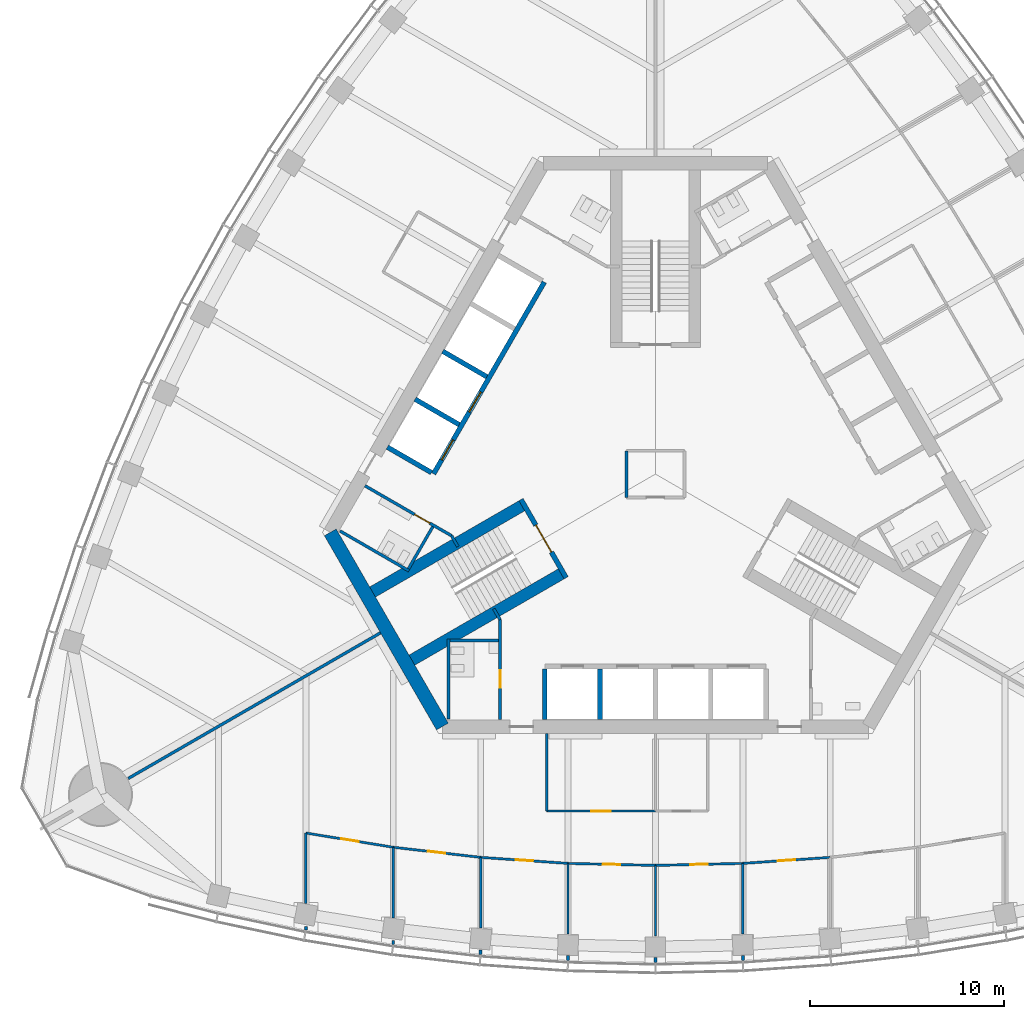
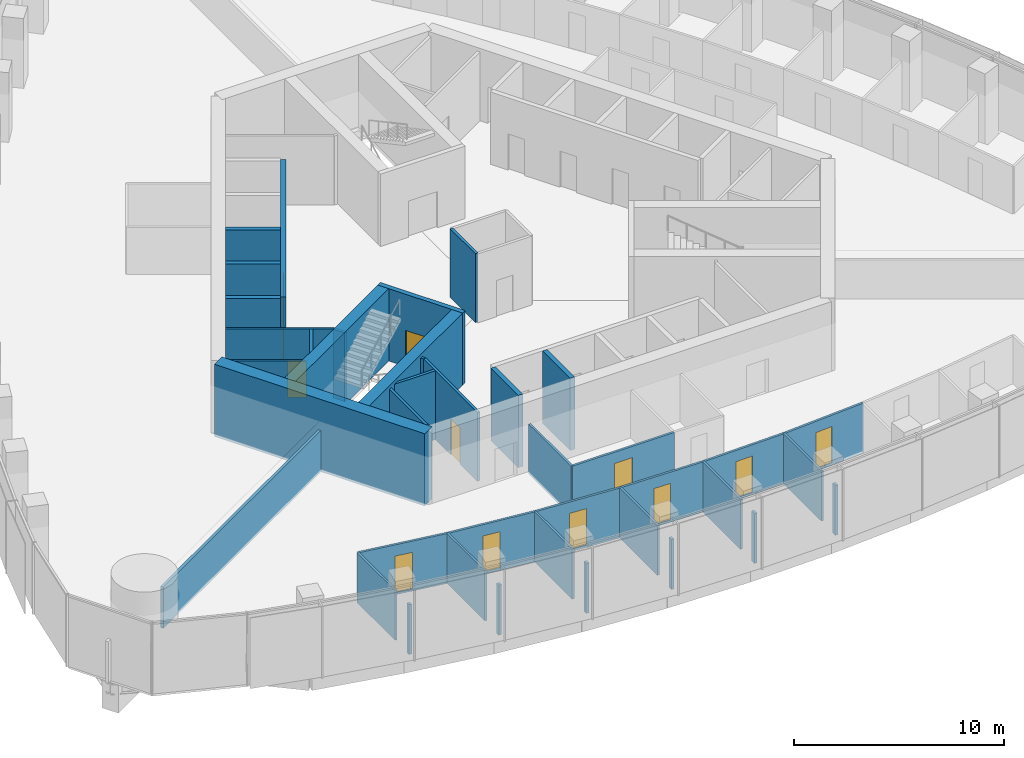
# One storey, part 11 of 19: 40 walls, 12 doors, 12 openings.
"""IFC4 building model written with IfcOpenShell, lengths in metres."""

from ifc_helpers import new_model, si_unit, direction, frame, frame_2d, origin, place, context, subcontext, project, spatial, rectangle, extrude, material, layer, layer_set, type_object, element, fill, save


model = new_model("IFC4")

# Units and contexts
model_context = context("Model", 3, precision=1e-05, world=origin(), true_north=direction((0.0, 1.0)))
body_context = subcontext(model_context, "Body", "Model", "MODEL_VIEW")
ifc_project = project(units=[si_unit("LENGTHUNIT", "METRE"), si_unit("AREAUNIT", "SQUARE_METRE"), si_unit("VOLUMEUNIT", "CUBIC_METRE"), si_unit("PLANEANGLEUNIT", "RADIAN"), si_unit("MASSUNIT", "GRAM", prefix="KILO")], contexts=[model_context])

# Site, building, storey
site_placement = place(None, origin())
site = spatial("IfcSite", under=ifc_project, at=site_placement, CompositionType="ELEMENT")
building_placement = place(site_placement, origin())
building = spatial("IfcBuilding", under=site, at=building_placement, Name="Trefoil Bronze Tower", CompositionType="ELEMENT")
storey_placement = place(building_placement, frame((0.0, 0.0, 235.89990234375)))
storey = spatial("IfcBuildingStorey", under=building, at=storey_placement, Name="L54", CompositionType="ELEMENT", Elevation=235.89990234375)

# Wall
ifc_material_1 = material(Name="Concrete B80", Category="concrete")
ifc_layer_1 = layer(ifc_material_1, 0.699951171875)
ifc_layer_set_1 = layer_set([ifc_layer_1], Name="Core wall 700")
wall_type_1 = type_object("IfcWallType", Name="Core wall 700", PredefinedType="SHEAR", material=ifc_layer_set_1)
wall_1_placement = place(storey_placement, frame((-16.7431640625, -3.0, 0.0), z_axis=(0.0, 0.0, 1.0), x_axis=(0.499995765644, -0.866027848477, 0.0)))
element("IfcWall", 1, at=wall_1_placement, inside=storey, type_object=wall_type_1, Name="Core short wall 3 L54", PredefinedType="SHEAR", context=body_context, shape_type="SweptSolid", body=[
    extrude(rectangle(XDim=11.546875, YDim=0.699951171875, at=frame_2d((5.7734375, 0.0))), origin(), (0.0, 0.0, 1.0), 4.2001953125),
])

# Wall, opening, door
ifc_material_2 = material(Name="Glazed partition", Category="glass")
ifc_layer_2 = layer(ifc_material_2, 0.1201171875)
ifc_layer_set_2 = layer_set([ifc_layer_2], Name="Glazed partition 120")
wall_type_2 = type_object("IfcWallType", Name="Glazed partition 120", PredefinedType="PARTITIONING", material=ifc_layer_set_2)
wall_2_placement = place(storey_placement, frame((-5.60009765625, -17.35009765625, 0.0), z_axis=(0.0, 0.0, 1.0), x_axis=(1.0, 0.0, 0.0)))
wall_2 = element("IfcWall", 2, at=wall_2_placement, inside=storey, type_object=wall_type_2, Name="Partition F1 L54", PredefinedType="PARTITIONING", context=body_context, shape_type="SweptSolid", body=[
    extrude(rectangle(XDim=5.60009765625, YDim=0.1201171875, at=frame_2d((2.800048828125, 0.0))), origin(), (0.0, 0.0, 1.0), 2.900146484375),
])
opening_1_placement = place(wall_2_placement, frame((2.300048828125, 0.0, 0.14990234375)))
opening_1 = element("IfcOpeningElement", 3, at=opening_1_placement, cuts=wall_2, Name="Opening D9", PredefinedType="OPENING", context=body_context, shape_type="SweptSolid", body=[
    extrude(rectangle(XDim=1.0, YDim=2.10009765625, at=frame_2d((0.5, 1.050048828125))), frame((0.0, 0.070068359375, 0.0), z_axis=(0.0, -1.0, 0.0), x_axis=(1.0, 0.0, 0.0)), (0.0, 0.0, 1.0), 0.14013671875),
])
ifc_material_3 = material(Name="Glazed timber door", Category="wood")
door_type_1 = type_object("IfcDoorType", Name="Meeting room door 1000", OperationType="SINGLE_SWING_LEFT", PredefinedType="DOOR", material=ifc_material_3)
door_1_placement = place(opening_1_placement, origin())
door_1 = element("IfcDoor", 4, at=door_1_placement, inside=storey, type_object=door_type_1, Name="Meeting room door F1 L54", OperationType="SINGLE_SWING_LEFT", OverallHeight=2.10009765625, OverallWidth=1.0, PredefinedType="DOOR", context=body_context, shape_type="SweptSolid", body=[
    extrude(rectangle(XDim=1.0, YDim=2.10009765625, at=frame_2d((0.5, 1.050048828125))), frame((0.0, 0.02490234375, 0.0), z_axis=(0.0, -1.0, 0.0), x_axis=(1.0, 0.0, 0.0)), (0.0, 0.0, 1.0), 0.050048828125),
])
fill(opening_1, door_1)

# Wall
wall_3_placement = place(storey_placement, frame((-5.60009765625, -13.35009765625, 0.0), z_axis=(0.0, 0.0, 1.0), x_axis=(0.0, -1.0, 0.0)))
element("IfcWall", 5, at=wall_3_placement, inside=storey, type_object=wall_type_2, Name="Partition F1 L54", PredefinedType="PARTITIONING", context=body_context, shape_type="SweptSolid", body=[
    extrude(rectangle(XDim=4.0, YDim=0.1201171875, at=frame_2d((2.0, 0.0))), origin(), (0.0, 0.0, 1.0), 2.900146484375),
])

# Wall, opening, door
wall_4_placement = place(storey_placement, frame((0.0, -20.150634765625, 0.0), z_axis=(0.0, 0.0, 1.0), x_axis=(0.99973552509, 0.022997388381, 0.0)))
wall_4 = element("IfcWall", 6, at=wall_4_placement, inside=storey, type_object=wall_type_2, Name="Partition F1 L54", PredefinedType="PARTITIONING", context=body_context, shape_type="SweptSolid", body=[
    extrude(rectangle(XDim=4.501220703125, YDim=0.1201171875, at=frame_2d((2.25048828125, 0.0))), origin(), (0.0, 0.0, 1.0), 2.900146484375),
])
opening_2_placement = place(wall_4_placement, frame((1.800048828125, 0.0, 0.14990234375)))
opening_2 = element("IfcOpeningElement", 7, at=opening_2_placement, cuts=wall_4, Name="Opening D8", PredefinedType="OPENING", context=body_context, shape_type="SweptSolid", body=[
    extrude(rectangle(XDim=0.89990234375, YDim=2.10009765625, at=frame_2d((0.449951171875, 1.050048828125))), frame((0.0, 0.070068359375, 0.0), z_axis=(0.0, -1.0, 0.0), x_axis=(1.0, 0.0, 0.0)), (0.0, 0.0, 1.0), 0.14013671875),
])
ifc_material_4 = material(Name="Timber door", Category="wood")
door_type_2 = type_object("IfcDoorType", Name="Office door 900", OperationType="SINGLE_SWING_LEFT", PredefinedType="DOOR", material=ifc_material_4)
door_2_placement = place(opening_2_placement, frame((0.89990234375, 0.0, 0.0), z_axis=(0.0, 0.0, 1.0), x_axis=(-1.0, 0.0, 0.0)))
door_2 = element("IfcDoor", 8, at=door_2_placement, inside=storey, type_object=door_type_2, Name="Office door F1 L54", OperationType="SINGLE_SWING_RIGHT", OverallHeight=2.10009765625, OverallWidth=0.89990234375, PredefinedType="DOOR", context=body_context, shape_type="SweptSolid", body=[
    extrude(rectangle(XDim=0.89990234375, YDim=2.10009765625, at=frame_2d((0.449951171875, 1.050048828125))), frame((0.0, 0.02490234375, 0.0), z_axis=(0.0, -1.0, 0.0), x_axis=(1.0, 0.0, 0.0)), (0.0, 0.0, 1.0), 0.050048828125),
])
fill(opening_2, door_2)

wall_5_placement = place(storey_placement, frame((4.5, -20.047119140625, 0.0), z_axis=(0.0, 0.0, 1.0), x_axis=(0.997623533978, 0.068900540297, 0.0)))
wall_5 = element("IfcWall", 9, at=wall_5_placement, inside=storey, type_object=wall_type_2, Name="Partition F1 L54", PredefinedType="PARTITIONING", context=body_context, shape_type="SweptSolid", body=[
    extrude(rectangle(XDim=4.5107421875, YDim=0.1201171875, at=frame_2d((2.25537109375, 0.0))), origin(), (0.0, 0.0, 1.0), 2.900146484375),
])
opening_3_placement = place(wall_5_placement, frame((1.800048828125, 0.0, 0.14990234375)))
opening_3 = element("IfcOpeningElement", 10, at=opening_3_placement, cuts=wall_5, Name="Opening D8", PredefinedType="OPENING", context=body_context, shape_type="SweptSolid", body=[
    extrude(rectangle(XDim=0.89990234375, YDim=2.10009765625, at=frame_2d((0.449951171875, 1.050048828125))), frame((0.0, 0.070068359375, 0.0), z_axis=(0.0, -1.0, 0.0), x_axis=(1.0, 0.0, 0.0)), (0.0, 0.0, 1.0), 0.14013671875),
])
door_3_placement = place(opening_3_placement, frame((0.89990234375, 0.0, 0.0), z_axis=(0.0, 0.0, 1.0), x_axis=(-1.0, 0.0, 0.0)))
door_3 = element("IfcDoor", 11, at=door_3_placement, inside=storey, type_object=door_type_2, Name="Office door F1 L54", OperationType="SINGLE_SWING_RIGHT", OverallHeight=2.10009765625, OverallWidth=0.89990234375, PredefinedType="DOOR", context=body_context, shape_type="SweptSolid", body=[
    extrude(rectangle(XDim=0.89990234375, YDim=2.10009765625, at=frame_2d((0.449951171875, 1.050048828125))), frame((0.0, 0.02490234375, 0.0), z_axis=(0.0, -1.0, 0.0), x_axis=(1.0, 0.0, 0.0)), (0.0, 0.0, 1.0), 0.050048828125),
])
fill(opening_3, door_3)

wall_6_placement = place(storey_placement, frame((-13.5, -19.216064453125, 0.0), z_axis=(0.0, 0.0, 1.0), x_axis=(0.993382946625, -0.114849124309, 0.0)))
wall_6 = element("IfcWall", 12, at=wall_6_placement, inside=storey, type_object=wall_type_2, Name="Partition F1 L54", PredefinedType="PARTITIONING", context=body_context, shape_type="SweptSolid", body=[
    extrude(rectangle(XDim=4.530029296875, YDim=0.1201171875, at=frame_2d((2.26513671875, 0.0))), origin(), (0.0, 0.0, 1.0), 2.900146484375),
])
opening_4_placement = place(wall_6_placement, frame((1.800048828125, 0.0, 0.14990234375)))
opening_4 = element("IfcOpeningElement", 13, at=opening_4_placement, cuts=wall_6, Name="Opening D8", PredefinedType="OPENING", context=body_context, shape_type="SweptSolid", body=[
    extrude(rectangle(XDim=0.89990234375, YDim=2.10009765625, at=frame_2d((0.449951171875, 1.050048828125))), frame((0.0, 0.070068359375, 0.0), z_axis=(0.0, -1.0, 0.0), x_axis=(1.0, 0.0, 0.0)), (0.0, 0.0, 1.0), 0.14013671875),
])
door_4_placement = place(opening_4_placement, frame((0.89990234375, 0.0, 0.0), z_axis=(0.0, 0.0, 1.0), x_axis=(-1.0, 0.0, 0.0)))
door_4 = element("IfcDoor", 14, at=door_4_placement, inside=storey, type_object=door_type_2, Name="Office door F1 L54", OperationType="SINGLE_SWING_RIGHT", OverallHeight=2.10009765625, OverallWidth=0.89990234375, PredefinedType="DOOR", context=body_context, shape_type="SweptSolid", body=[
    extrude(rectangle(XDim=0.89990234375, YDim=2.10009765625, at=frame_2d((0.449951171875, 1.050048828125))), frame((0.0, 0.02490234375, 0.0), z_axis=(0.0, -1.0, 0.0), x_axis=(1.0, 0.0, 0.0)), (0.0, 0.0, 1.0), 0.050048828125),
])
fill(opening_4, door_4)

wall_7_placement = place(storey_placement, frame((-18.0, -18.48291015625, 0.0), z_axis=(0.0, 0.0, 1.0), x_axis=(0.986986525477, -0.160802980469, 0.0)))
wall_7 = element("IfcWall", 15, at=wall_7_placement, inside=storey, type_object=wall_type_2, Name="Partition F1 L54", PredefinedType="PARTITIONING", context=body_context, shape_type="SweptSolid", body=[
    extrude(rectangle(XDim=4.559326171875, YDim=0.1201171875, at=frame_2d((2.27978515625, 0.0))), origin(), (0.0, 0.0, 1.0), 2.900146484375),
])
opening_5_placement = place(wall_7_placement, frame((1.85009765625, 0.0, 0.14990234375)))
opening_5 = element("IfcOpeningElement", 16, at=opening_5_placement, cuts=wall_7, Name="Opening D8", PredefinedType="OPENING", context=body_context, shape_type="SweptSolid", body=[
    extrude(rectangle(XDim=0.89990234375, YDim=2.10009765625, at=frame_2d((0.449951171875, 1.050048828125))), frame((0.0, 0.070068359375, 0.0), z_axis=(0.0, -1.0, 0.0), x_axis=(1.0, 0.0, 0.0)), (0.0, 0.0, 1.0), 0.14013671875),
])
door_5_placement = place(opening_5_placement, frame((0.89990234375, 0.0, 0.0), z_axis=(0.0, 0.0, 1.0), x_axis=(-1.0, 0.0, 0.0)))
door_5 = element("IfcDoor", 17, at=door_5_placement, inside=storey, type_object=door_type_2, Name="Office door F1 L54", OperationType="SINGLE_SWING_LEFT", OverallHeight=2.10009765625, OverallWidth=0.89990234375, PredefinedType="DOOR", context=body_context, shape_type="SweptSolid", body=[
    extrude(rectangle(XDim=0.89990234375, YDim=2.10009765625, at=frame_2d((0.449951171875, 1.050048828125))), frame((0.0, 0.02490234375, 0.0), z_axis=(0.0, -1.0, 0.0), x_axis=(1.0, 0.0, 0.0)), (0.0, 0.0, 1.0), 0.050048828125),
])
fill(opening_5, door_5)

wall_8_placement = place(storey_placement, frame((-4.5, -20.047119140625, 0.0), z_axis=(0.0, 0.0, 1.0), x_axis=(0.99973552509, -0.022997388381, 0.0)))
wall_8 = element("IfcWall", 18, at=wall_8_placement, inside=storey, type_object=wall_type_2, Name="Partition F1 L54", PredefinedType="PARTITIONING", context=body_context, shape_type="SweptSolid", body=[
    extrude(rectangle(XDim=4.501220703125, YDim=0.1201171875, at=frame_2d((2.25048828125, 0.0))), origin(), (0.0, 0.0, 1.0), 2.900146484375),
])
opening_6_placement = place(wall_8_placement, frame((1.800048828125, 0.0, 0.14990234375)))
opening_6 = element("IfcOpeningElement", 19, at=opening_6_placement, cuts=wall_8, Name="Opening D8", PredefinedType="OPENING", context=body_context, shape_type="SweptSolid", body=[
    extrude(rectangle(XDim=0.89990234375, YDim=2.10009765625, at=frame_2d((0.449951171875, 1.050048828125))), frame((0.0, 0.070068359375, 0.0), z_axis=(0.0, -1.0, 0.0), x_axis=(1.0, 0.0, 0.0)), (0.0, 0.0, 1.0), 0.14013671875),
])
door_6_placement = place(opening_6_placement, frame((0.89990234375, 0.0, 0.0), z_axis=(0.0, 0.0, 1.0), x_axis=(-1.0, 0.0, 0.0)))
door_6 = element("IfcDoor", 20, at=door_6_placement, inside=storey, type_object=door_type_2, Name="Office door F1 L54", OperationType="SINGLE_SWING_RIGHT", OverallHeight=2.10009765625, OverallWidth=0.89990234375, PredefinedType="DOOR", context=body_context, shape_type="SweptSolid", body=[
    extrude(rectangle(XDim=0.89990234375, YDim=2.10009765625, at=frame_2d((0.449951171875, 1.050048828125))), frame((0.0, 0.02490234375, 0.0), z_axis=(0.0, -1.0, 0.0), x_axis=(1.0, 0.0, 0.0)), (0.0, 0.0, 1.0), 0.050048828125),
])
fill(opening_6, door_6)

wall_9_placement = place(storey_placement, frame((-9.0, -19.736328125, 0.0), z_axis=(0.0, 0.0, 1.0), x_axis=(0.997623533978, -0.068900540297, 0.0)))
wall_9 = element("IfcWall", 21, at=wall_9_placement, inside=storey, type_object=wall_type_2, Name="Partition F1 L54", PredefinedType="PARTITIONING", context=body_context, shape_type="SweptSolid", body=[
    extrude(rectangle(XDim=4.5107421875, YDim=0.1201171875, at=frame_2d((2.25537109375, 0.0))), origin(), (0.0, 0.0, 1.0), 2.900146484375),
])
opening_7_placement = place(wall_9_placement, frame((1.800048828125, 0.0, 0.14990234375)))
opening_7 = element("IfcOpeningElement", 22, at=opening_7_placement, cuts=wall_9, Name="Opening D8", PredefinedType="OPENING", context=body_context, shape_type="SweptSolid", body=[
    extrude(rectangle(XDim=0.89990234375, YDim=2.10009765625, at=frame_2d((0.449951171875, 1.050048828125))), frame((0.0, 0.070068359375, 0.0), z_axis=(0.0, -1.0, 0.0), x_axis=(1.0, 0.0, 0.0)), (0.0, 0.0, 1.0), 0.14013671875),
])
door_7_placement = place(opening_7_placement, frame((0.89990234375, 0.0, 0.0), z_axis=(0.0, 0.0, 1.0), x_axis=(-1.0, 0.0, 0.0)))
door_7 = element("IfcDoor", 23, at=door_7_placement, inside=storey, type_object=door_type_2, Name="Office door F1 L54", OperationType="SINGLE_SWING_RIGHT", OverallHeight=2.10009765625, OverallWidth=0.89990234375, PredefinedType="DOOR", context=body_context, shape_type="SweptSolid", body=[
    extrude(rectangle(XDim=0.89990234375, YDim=2.10009765625, at=frame_2d((0.449951171875, 1.050048828125))), frame((0.0, 0.02490234375, 0.0), z_axis=(0.0, -1.0, 0.0), x_axis=(1.0, 0.0, 0.0)), (0.0, 0.0, 1.0), 0.050048828125),
])
fill(opening_7, door_7)

# Walls
wall_10_placement = place(storey_placement, frame((0.0, -20.150634765625, 0.0), z_axis=(0.0, 0.0, 1.0), x_axis=(0.0, -1.0, 0.0)))
element("IfcWall", 24, at=wall_10_placement, inside=storey, type_object=wall_type_2, Name="Partition F1 L54", PredefinedType="PARTITIONING", context=body_context, shape_type="SweptSolid", body=[
    extrude(rectangle(XDim=3.64501953125, YDim=0.1201171875, at=frame_2d((1.822509765625, 0.0))), origin(), (0.0, 0.0, 1.0), 2.900146484375),
])
wall_11_placement = place(storey_placement, frame((4.5, -20.047119140625, 0.0), z_axis=(0.0, 0.0, 1.0), x_axis=(0.0, -1.0, 0.0)))
element("IfcWall", 25, at=wall_11_placement, inside=storey, type_object=wall_type_2, Name="Partition F1 L54", PredefinedType="PARTITIONING", context=body_context, shape_type="SweptSolid", body=[
    extrude(rectangle(XDim=3.643798828125, YDim=0.1201171875, at=frame_2d((1.82177734375, 0.0))), origin(), (0.0, 0.0, 1.0), 2.900146484375),
])
wall_12_placement = place(storey_placement, frame((-13.5, -19.216064453125, 0.0), z_axis=(0.0, 0.0, 1.0), x_axis=(0.0, -1.0, 0.0)))
element("IfcWall", 26, at=wall_12_placement, inside=storey, type_object=wall_type_2, Name="Partition F1 L54", PredefinedType="PARTITIONING", context=body_context, shape_type="SweptSolid", body=[
    extrude(rectangle(XDim=3.632080078125, YDim=0.1201171875, at=frame_2d((1.81591796875, 0.0))), origin(), (0.0, 0.0, 1.0), 2.900146484375),
])
wall_13_placement = place(storey_placement, frame((-18.0, -18.48291015625, 0.0), z_axis=(0.0, 0.0, 1.0), x_axis=(0.0, -1.0, 0.0)))
element("IfcWall", 27, at=wall_13_placement, inside=storey, type_object=wall_type_2, Name="Partition F1 L54", PredefinedType="PARTITIONING", context=body_context, shape_type="SweptSolid", body=[
    extrude(rectangle(XDim=3.62158203125, YDim=0.1201171875, at=frame_2d((1.810791015625, 0.0))), origin(), (0.0, 0.0, 1.0), 2.900146484375),
])
wall_14_placement = place(storey_placement, frame((-4.5, -20.047119140625, 0.0), z_axis=(0.0, 0.0, 1.0), x_axis=(0.0, -1.0, 0.0)))
element("IfcWall", 28, at=wall_14_placement, inside=storey, type_object=wall_type_2, Name="Partition F1 L54", PredefinedType="PARTITIONING", context=body_context, shape_type="SweptSolid", body=[
    extrude(rectangle(XDim=3.643798828125, YDim=0.1201171875, at=frame_2d((1.82177734375, 0.0))), origin(), (0.0, 0.0, 1.0), 2.900146484375),
])
wall_15_placement = place(storey_placement, frame((-9.0, -19.736328125, 0.0), z_axis=(0.0, 0.0, 1.0), x_axis=(0.0, -1.0, 0.0)))
element("IfcWall", 29, at=wall_15_placement, inside=storey, type_object=wall_type_2, Name="Partition F1 L54", PredefinedType="PARTITIONING", context=body_context, shape_type="SweptSolid", body=[
    extrude(rectangle(XDim=3.639404296875, YDim=0.1201171875, at=frame_2d((1.81982421875, 0.0))), origin(), (0.0, 0.0, 1.0), 2.900146484375),
])

# Wall, opening, door
ifc_material_5 = material(Name="Gypsum board on steel studs", Category="steel")
ifc_layer_3 = layer(ifc_material_5, 0.14990234375)
ifc_layer_set_3 = layer_set([ifc_layer_3], Name="Partition 150")
wall_type_3 = type_object("IfcWallType", Name="Partition 150", PredefinedType="PARTITIONING", material=ifc_layer_set_3)
wall_16_placement = place(storey_placement, frame((-8.0, -7.5, 0.0), z_axis=(0.0, 0.0, 1.0), x_axis=(0.0, -1.0, 0.0)))
wall_16 = element("IfcWall", 30, at=wall_16_placement, inside=storey, type_object=wall_type_3, Name="Passage wall F1- L54", PredefinedType="PARTITIONING", context=body_context, shape_type="SweptSolid", body=[
    extrude(rectangle(XDim=5.14990234375, YDim=0.14990234375, at=frame_2d((2.574951171875, 0.0))), origin(), (0.0, 0.0, 1.0), 4.0),
])
opening_8_placement = place(wall_16_placement, frame((2.60009765625, 0.0, 0.0)))
opening_8 = element("IfcOpeningElement", 31, at=opening_8_placement, cuts=wall_16, Name="Opening D3", PredefinedType="OPENING", context=body_context, shape_type="SweptSolid", body=[
    extrude(rectangle(XDim=0.89990234375, YDim=2.10009765625, at=frame_2d((0.449951171875, 1.050048828125))), frame((0.0, 0.0849609375, 0.0), z_axis=(0.0, -1.0, 0.0), x_axis=(1.0, 0.0, 0.0)), (0.0, 0.0, 1.0), 0.169921875),
])
ifc_material_6 = material(Name="Timber door", Category="wood")
door_type_3 = type_object("IfcDoorType", Name="WC door 900", OperationType="SINGLE_SWING_LEFT", PredefinedType="DOOR", material=ifc_material_6)
door_8_placement = place(opening_8_placement, frame((0.89990234375, 0.0, 0.0), z_axis=(0.0, 0.0, 1.0), x_axis=(-1.0, 0.0, 0.0)))
door_8 = element("IfcDoor", 32, at=door_8_placement, inside=storey, type_object=door_type_3, Name="WC (women) door L54", OperationType="SINGLE_SWING_RIGHT", OverallHeight=2.10009765625, OverallWidth=0.89990234375, PredefinedType="DOOR", context=body_context, shape_type="SweptSolid", body=[
    extrude(rectangle(XDim=0.89990234375, YDim=2.10009765625, at=frame_2d((0.449951171875, 1.050048828125))), frame((0.0, 0.02490234375, 0.0), z_axis=(0.0, -1.0, 0.0), x_axis=(1.0, 0.0, 0.0)), (0.0, 0.0, 1.0), 0.050048828125),
])
fill(opening_8, door_8)

wall_17_placement = place(storey_placement, frame((-10.4951171875, -3.17822265625, 0.0), z_axis=(0.0, 0.0, 1.0), x_axis=(-0.866037967349, 0.499978238636, 0.0)))
wall_17 = element("IfcWall", 33, at=wall_17_placement, inside=storey, type_object=wall_type_3, Name="Passage wall F3+ L54", PredefinedType="PARTITIONING", context=body_context, shape_type="SweptSolid", body=[
    extrude(rectangle(XDim=5.150146484375, YDim=0.14990234375, at=frame_2d((2.5751953125, 0.0))), origin(), (0.0, 0.0, 1.0), 4.0),
])
opening_9_placement = place(wall_17_placement, frame((1.300048828125, 0.0, 0.0)))
opening_9 = element("IfcOpeningElement", 34, at=opening_9_placement, cuts=wall_17, Name="Opening D3", PredefinedType="OPENING", context=body_context, shape_type="SweptSolid", body=[
    extrude(rectangle(XDim=0.89990234375, YDim=2.10009765625, at=frame_2d((0.449951171875, 1.050048828125))), frame((0.0, 0.0849609375, 0.0), z_axis=(0.0, -1.0, 0.0), x_axis=(1.0, 0.0, 0.0)), (0.0, 0.0, 1.0), 0.169921875),
])
door_9_placement = place(opening_9_placement, origin())
door_9 = element("IfcDoor", 35, at=door_9_placement, inside=storey, type_object=door_type_3, Name="WC (men) door L54", OperationType="SINGLE_SWING_LEFT", OverallHeight=2.10009765625, OverallWidth=0.89990234375, PredefinedType="DOOR", context=body_context, shape_type="SweptSolid", body=[
    extrude(rectangle(XDim=0.89990234375, YDim=2.10009765625, at=frame_2d((0.449951171875, 1.050048828125))), frame((0.0, 0.02490234375, 0.0), z_axis=(0.0, -1.0, 0.0), x_axis=(1.0, 0.0, 0.0)), (0.0, 0.0, 1.0), 0.050048828125),
])
fill(opening_9, door_9)

# Walls
for number, where, z_axis, x_axis, name in (
    (36, (-10.4951171875, -3.17822265625, 0.0), (0.0, 0.0, 1.0), (0.499842556608, -0.866116284689, 0.0), "WC wall ST3-1 L54"),
    (37, (-8.0, -7.5, 0.0), (0.0, 0.0, 1.0), (-0.499842556608, 0.866116284689, 0.0), "WC wall ST3+1 L54"),
):
    element("IfcWall", number, at=place(storey_placement, frame(where, z_axis=z_axis, x_axis=x_axis)), inside=storey, type_object=wall_type_3, Name=name, PredefinedType="PARTITIONING", context=body_context, shape_type="SweptSolid", body=[
        extrude(rectangle(XDim=0.645263671875, YDim=0.14990234375, at=frame_2d((0.32275390625, 0.0))), origin(), (0.0, 0.0, 1.0), 4.0),
    ])
wall_18_placement = place(storey_placement, frame((-12.691162109375, -4.98193359375, 0.0), z_axis=(0.0, 0.0, 1.0), x_axis=(-0.8660249478, 0.500000789788, 0.0)))
element("IfcWall", 38, at=wall_18_placement, inside=storey, type_object=wall_type_3, Name="WC partition WC (men) L54", PredefinedType="PARTITIONING", context=body_context, shape_type="SweptSolid", body=[
    extrude(rectangle(XDim=4.10009765625, YDim=0.14990234375, at=frame_2d((2.050048828125, 0.0))), origin(), (0.0, 0.0, 1.0), 4.0),
])
wall_19_placement = place(storey_placement, frame((-11.463623046875, -2.70556640625, 0.0), z_axis=(0.0, 0.0, 1.0), x_axis=(-0.50001992892, -0.866013897511, 0.0)))
element("IfcWall", 39, at=wall_19_placement, inside=storey, type_object=wall_type_3, Name="WC partition WC (men) L54", PredefinedType="PARTITIONING", context=body_context, shape_type="SweptSolid", body=[
    extrude(rectangle(XDim=2.51025390625, YDim=0.14990234375, at=frame_2d((1.255126953125, 0.0))), origin(), (0.0, 0.0, 1.0), 4.0),
])
wall_20_placement = place(storey_placement, frame((-10.659912109375, -8.5, 0.0), z_axis=(0.0, 0.0, 1.0), x_axis=(0.0, -1.0, 0.0)))
element("IfcWall", 40, at=wall_20_placement, inside=storey, type_object=wall_type_3, Name="WC partition WC (women) L54", PredefinedType="PARTITIONING", context=body_context, shape_type="SweptSolid", body=[
    extrude(rectangle(XDim=4.10009765625, YDim=0.14990234375, at=frame_2d((2.050048828125, 0.0))), origin(), (0.0, 0.0, 1.0), 4.0),
])
wall_21_placement = place(storey_placement, frame((-8.074951171875, -8.574951171875, 0.0), z_axis=(0.0, 0.0, 1.0), x_axis=(-1.0, 0.0, 0.0)))
element("IfcWall", 41, at=wall_21_placement, inside=storey, type_object=wall_type_3, Name="WC partition WC (women) L54", PredefinedType="PARTITIONING", context=body_context, shape_type="SweptSolid", body=[
    extrude(rectangle(XDim=2.510009765625, YDim=0.14990234375, at=frame_2d((1.2548828125, 0.0))), origin(), (0.0, 0.0, 1.0), 4.0),
])
wall_22_placement = place(storey_placement, frame((4.5, -24.799072265625, 0.0), z_axis=(0.0, 0.0, 1.0), x_axis=(0.0, -1.0, 0.0)))
element("IfcWall", 42, at=wall_22_placement, inside=storey, type_object=wall_type_3, Name="Partition F1 L54", PredefinedType="PARTITIONING", context=body_context, shape_type="SweptSolid", body=[
    extrude(rectangle(XDim=0.2431640625, YDim=0.14990234375, at=frame_2d((0.12158203125, 0.0))), origin(), (0.0, 0.0, 1.0), 2.900146484375),
])
wall_23_placement = place(storey_placement, frame((0.0, -24.879638671875, 0.0), z_axis=(0.0, 0.0, 1.0), x_axis=(0.0, -1.0, 0.0)))
element("IfcWall", 43, at=wall_23_placement, inside=storey, type_object=wall_type_3, Name="Partition F1 L54", PredefinedType="PARTITIONING", context=body_context, shape_type="SweptSolid", body=[
    extrude(rectangle(XDim=0.26611328125, YDim=0.14990234375, at=frame_2d((0.133056640625, 0.0))), origin(), (0.0, 0.0, 1.0), 2.900146484375),
])
wall_24_placement = place(storey_placement, frame((-13.5, -24.0048828125, 0.0), z_axis=(0.0, 0.0, 1.0), x_axis=(0.0, -1.0, 0.0)))
element("IfcWall", 44, at=wall_24_placement, inside=storey, type_object=wall_type_3, Name="Partition F1 L54", PredefinedType="PARTITIONING", context=body_context, shape_type="SweptSolid", body=[
    extrude(rectangle(XDim=0.206298828125, YDim=0.14990234375, at=frame_2d((0.10302734375, 0.0))), origin(), (0.0, 0.0, 1.0), 2.900146484375),
])
wall_25_placement = place(storey_placement, frame((-18.0, -23.285888671875, 0.0), z_axis=(0.0, 0.0, 1.0), x_axis=(0.0, -1.0, 0.0)))
element("IfcWall", 45, at=wall_25_placement, inside=storey, type_object=wall_type_3, Name="Partition F1 L54", PredefinedType="PARTITIONING", context=body_context, shape_type="SweptSolid", body=[
    extrude(rectangle(XDim=0.192138671875, YDim=0.14990234375, at=frame_2d((0.09619140625, 0.0))), origin(), (0.0, 0.0, 1.0), 2.900146484375),
])
wall_26_placement = place(storey_placement, frame((-4.5, -24.799072265625, 0.0), z_axis=(0.0, 0.0, 1.0), x_axis=(0.0, -1.0, 0.0)))
element("IfcWall", 46, at=wall_26_placement, inside=storey, type_object=wall_type_3, Name="Partition F1 L54", PredefinedType="PARTITIONING", context=body_context, shape_type="SweptSolid", body=[
    extrude(rectangle(XDim=0.2431640625, YDim=0.14990234375, at=frame_2d((0.12158203125, 0.0))), origin(), (0.0, 0.0, 1.0), 2.900146484375),
])
wall_27_placement = place(storey_placement, frame((-9.0, -24.508056640625, 0.0), z_axis=(0.0, 0.0, 1.0), x_axis=(0.0, -1.0, 0.0)))
element("IfcWall", 47, at=wall_27_placement, inside=storey, type_object=wall_type_3, Name="Partition F1 L54", PredefinedType="PARTITIONING", context=body_context, shape_type="SweptSolid", body=[
    extrude(rectangle(XDim=0.223388671875, YDim=0.14990234375, at=frame_2d((0.11181640625, 0.0))), origin(), (0.0, 0.0, 1.0), 2.900146484375),
])
ifc_material_7 = material(Name="Gypsum board on steel studs", Category="steel")
ifc_layer_4 = layer(ifc_material_7, 0.14990234375)
ifc_layer_set_4 = layer_set([ifc_layer_4], Name="Party wall 150")
wall_type_4 = type_object("IfcWallType", Name="Party wall 150", PredefinedType="PARTITIONING", material=ifc_layer_set_4)
wall_28_placement = place(storey_placement, frame((-14.159423828125, -8.175048828125, 0.0), z_axis=(0.0, 0.0, 1.0), x_axis=(-0.866027028085, -0.499997186618, 0.0)))
element("IfcWall", 48, at=wall_28_placement, inside=storey, type_object=wall_type_4, Name="Party wall K3 L54", PredefinedType="PARTITIONING", context=body_context, shape_type="SweptSolid", body=[
    extrude(rectangle(XDim=15.0, YDim=0.14990234375, at=frame_2d((7.5, 0.0))), origin(), (0.0, 0.0, 1.0), 2.400146484375),
])
ifc_material_8 = material(Name="Gypsum board on steel studs", Category="steel")
ifc_layer_5 = layer(ifc_material_8, 0.14990234375)
ifc_layer_set_5 = layer_set([ifc_layer_5], Name="Riser wall 150")
wall_type_5 = type_object("IfcWallType", Name="Riser wall 150", PredefinedType="PARTITIONING", material=ifc_layer_set_5)
wall_29_placement = place(storey_placement, frame((-1.5, 1.199951171875, 0.0), z_axis=(0.0, 0.0, 1.0), x_axis=(0.0, -1.0, 0.0)))
element("IfcWall", 49, at=wall_29_placement, inside=storey, type_object=wall_type_5, Name="Riser wall L54", PredefinedType="PARTITIONING", context=body_context, shape_type="SweptSolid", body=[
    extrude(rectangle(XDim=2.39990234375, YDim=0.14990234375, at=frame_2d((1.199951171875, 0.0))), origin(), (0.0, 0.0, 1.0), 4.0),
])
ifc_material_9 = material(Name="Concrete B80", Category="concrete")
ifc_layer_6 = layer(ifc_material_9, 0.25)
ifc_layer_set_6 = layer_set([ifc_layer_6], Name="Shaft wall 250")
wall_type_6 = type_object("IfcWallType", Name="Shaft wall 250", PredefinedType="SHEAR", material=ifc_layer_set_6)
for number, where, z_axis, x_axis, name in (
    (50, (-5.699951171875, -10.02490234375, 0.0), (0.0, 0.0, 1.0), (0.0, -1.0, 0.0), "Lift shaft side wall A0 L54"),
    (51, (-2.85009765625, -10.02490234375, 0.0), (0.0, 0.0, 1.0), (0.0, -1.0, 0.0), "Lift shaft side wall A1 L54"),
):
    element("IfcWall", number, at=place(storey_placement, frame(where, z_axis=z_axis, x_axis=x_axis)), inside=storey, type_object=wall_type_6, Name=name, PredefinedType="SHEAR", context=body_context, shape_type="SweptSolid", body=[
        extrude(rectangle(XDim=2.625, YDim=0.25, at=frame_2d((1.3125, 0.0))), origin(), (0.0, 0.0, 1.0), 4.2001953125),
    ])

# Wall, openings, doors
wall_30_placement = place(storey_placement, frame((-5.7236328125, 9.88623046875, 0.0), z_axis=(0.0, 0.0, 1.0), x_axis=(-0.500001763848, -0.866024385424, 0.0)))
wall_30 = element("IfcWall", 52, at=wall_30_placement, inside=storey, type_object=wall_type_6, Name="Lift shaft front wall C L54", PredefinedType="SHEAR", context=body_context, shape_type="SweptSolid", body=[
    extrude(rectangle(XDim=11.39990234375, YDim=0.25, at=frame_2d((5.699951171875, 0.0))), origin(), (0.0, 0.0, 1.0), 4.2001953125),
])
opening_10_placement = place(wall_30_placement, frame((6.52490234375, 0.0, 0.0)))
opening_10 = element("IfcOpeningElement", 53, at=opening_10_placement, cuts=wall_30, Name="Opening LD-FL1", PredefinedType="OPENING", context=body_context, shape_type="SweptSolid", body=[
    extrude(rectangle(XDim=1.199951171875, YDim=2.199951171875, at=frame_2d((0.60009765625, 1.10009765625))), frame((0.0, 0.135009765625, 0.0), z_axis=(0.0, -1.0, 0.0), x_axis=(1.0, 0.0, 0.0)), (0.0, 0.0, 1.0), 0.27001953125),
])
opening_11_placement = place(wall_30_placement, frame((9.375, 0.0, 0.0)))
opening_11 = element("IfcOpeningElement", 54, at=opening_11_placement, cuts=wall_30, Name="Opening LD-FL2", PredefinedType="OPENING", context=body_context, shape_type="SweptSolid", body=[
    extrude(rectangle(XDim=1.199951171875, YDim=2.199951171875, at=frame_2d((0.60009765625, 1.10009765625))), frame((0.0, 0.135009765625, 0.0), z_axis=(0.0, -1.0, 0.0), x_axis=(1.0, 0.0, 0.0)), (0.0, 0.0, 1.0), 0.27001953125),
])
ifc_material_10 = material(Name="Steel door", Category="steel")
door_type_4 = type_object("IfcDoorType", Name="Lift landing door 1200", OperationType="DOUBLE_DOOR_SLIDING", PredefinedType="DOOR", material=ifc_material_10)
door_10_placement = place(opening_10_placement, origin())
door_10 = element("IfcDoor", 55, at=door_10_placement, inside=storey, type_object=door_type_4, Name="Lift FL1 landing door L54", OperationType="DOUBLE_DOOR_SLIDING", OverallHeight=2.199951171875, OverallWidth=1.199951171875, PredefinedType="DOOR", context=body_context, shape_type="SweptSolid", body=[
    extrude(rectangle(XDim=1.199951171875, YDim=2.199951171875, at=frame_2d((0.60009765625, 1.10009765625))), frame((0.0, 0.02490234375, 0.0), z_axis=(0.0, -1.0, 0.0), x_axis=(1.0, 0.0, 0.0)), (0.0, 0.0, 1.0), 0.050048828125),
])
fill(opening_10, door_10)
door_11_placement = place(opening_11_placement, origin())
door_11 = element("IfcDoor", 56, at=door_11_placement, inside=storey, type_object=door_type_4, Name="Lift FL2 landing door L54", OperationType="DOUBLE_DOOR_SLIDING", OverallHeight=2.199951171875, OverallWidth=1.199951171875, PredefinedType="DOOR", context=body_context, shape_type="SweptSolid", body=[
    extrude(rectangle(XDim=1.199951171875, YDim=2.199951171875, at=frame_2d((0.60009765625, 1.10009765625))), frame((0.0, 0.02490234375, 0.0), z_axis=(0.0, -1.0, 0.0), x_axis=(1.0, 0.0, 0.0)), (0.0, 0.0, 1.0), 0.050048828125),
])
fill(opening_11, door_11)

# Walls
for number, where, z_axis, x_axis, name in (
    (57, (-8.681884765625, 5.012451171875, 0.0), (0.0, 0.0, 1.0), (-0.866036909293, 0.499980071345, 0.0), "Lift shaft side wall C2 L54"),
    (58, (-10.10693359375, 2.54443359375, 0.0), (0.0, 0.0, 1.0), (-0.866013657776, 0.500020344131, 0.0), "Lift shaft side wall C3 L54"),
    (59, (-11.531982421875, 0.076171875, 0.0), (0.0, 0.0, 1.0), (-0.866013657776, 0.500020344131, 0.0), "Lift shaft side wall C4 L54"),
):
    element("IfcWall", number, at=place(storey_placement, frame(where, z_axis=z_axis, x_axis=x_axis)), inside=storey, type_object=wall_type_6, Name=name, PredefinedType="SHEAR", context=body_context, shape_type="SweptSolid", body=[
        extrude(rectangle(XDim=2.625, YDim=0.25, at=frame_2d((1.3125, 0.0))), origin(), (0.0, 0.0, 1.0), 4.2001953125),
    ])

# Wall, opening, door
wall_31_placement = place(storey_placement, frame((-6.921630859375, -1.3115234375, 0.0), z_axis=(0.0, 0.0, 1.0), x_axis=(0.499984536904, -0.866034331223, 0.0)))
wall_31 = element("IfcWall", 60, at=wall_31_placement, inside=storey, type_object=wall_type_6, Name="Stair end wall ST3 L54", PredefinedType="SHEAR", context=body_context, shape_type="SweptSolid", body=[
    extrude(rectangle(XDim=4.650146484375, YDim=0.25, at=frame_2d((2.3251953125, 0.0))), origin(), (0.0, 0.0, 1.0), 4.2001953125),
])
opening_12_placement = place(wall_31_placement, frame((1.52490234375, 0.0, 0.0)))
opening_12 = element("IfcOpeningElement", 61, at=opening_12_placement, cuts=wall_31, Name="Opening D1", PredefinedType="OPENING", context=body_context, shape_type="SweptSolid", body=[
    extrude(rectangle(XDim=1.60009765625, YDim=2.10009765625, at=frame_2d((0.800048828125, 1.050048828125))), frame((0.0, 0.135009765625, 0.0), z_axis=(0.0, -1.0, 0.0), x_axis=(1.0, 0.0, 0.0)), (0.0, 0.0, 1.0), 0.27001953125),
])
ifc_material_11 = material(Name="Steel door", Category="steel")
door_type_5 = type_object("IfcDoorType", Name="Stair door 1600", OperationType="DOUBLE_DOOR_SINGLE_SWING", PredefinedType="DOOR", material=ifc_material_11)
door_12_placement = place(opening_12_placement, frame((1.60009765625, 0.0, 0.0), z_axis=(0.0, 0.0, 1.0), x_axis=(-1.0, 0.0, 0.0)))
door_12 = element("IfcDoor", 62, at=door_12_placement, inside=storey, type_object=door_type_5, Name="Stair door ST3 L54", OperationType="DOUBLE_DOOR_SINGLE_SWING", OverallHeight=2.10009765625, OverallWidth=1.60009765625, PredefinedType="DOOR", context=body_context, shape_type="SweptSolid", body=[
    extrude(rectangle(XDim=1.60009765625, YDim=2.10009765625, at=frame_2d((0.800048828125, 1.050048828125))), frame((0.0, 0.02490234375, 0.0), z_axis=(0.0, -1.0, 0.0), x_axis=(1.0, 0.0, 0.0)), (0.0, 0.0, 1.0), 0.050048828125),
])
fill(opening_12, door_12)

# Walls
ifc_material_12 = material(Name="Concrete B80", Category="concrete")
ifc_layer_7 = layer(ifc_material_12, 0.60009765625)
ifc_layer_set_7 = layer_set([ifc_layer_7], Name="Stair wall 600")
wall_type_7 = type_object("IfcWallType", Name="Stair wall 600", PredefinedType="SHEAR", material=ifc_layer_set_7)
for number, where, z_axis, x_axis, name in (
    (63, (-6.663330078125, -1.5087890625, 0.0), (0.0, 0.0, 1.0), (-0.866028310072, -0.499994966129, 0.0), "Stair wall ST3 L54"),
    (64, (-4.638427734375, -5.01611328125, 0.0), (0.0, 0.0, 1.0), (-0.866021621257, -0.500006551472, 0.0), "Stair wall ST3 L54"),
):
    element("IfcWall", number, at=place(storey_placement, frame(where, z_axis=z_axis, x_axis=x_axis)), inside=storey, type_object=wall_type_7, Name=name, PredefinedType="SHEAR", context=body_context, shape_type="SweptSolid", body=[
        extrude(rectangle(XDim=9.125, YDim=0.60009765625, at=frame_2d((4.5625, 0.0))), origin(), (0.0, 0.0, 1.0), 4.2001953125),
    ])

save(model, "model.ifc")
